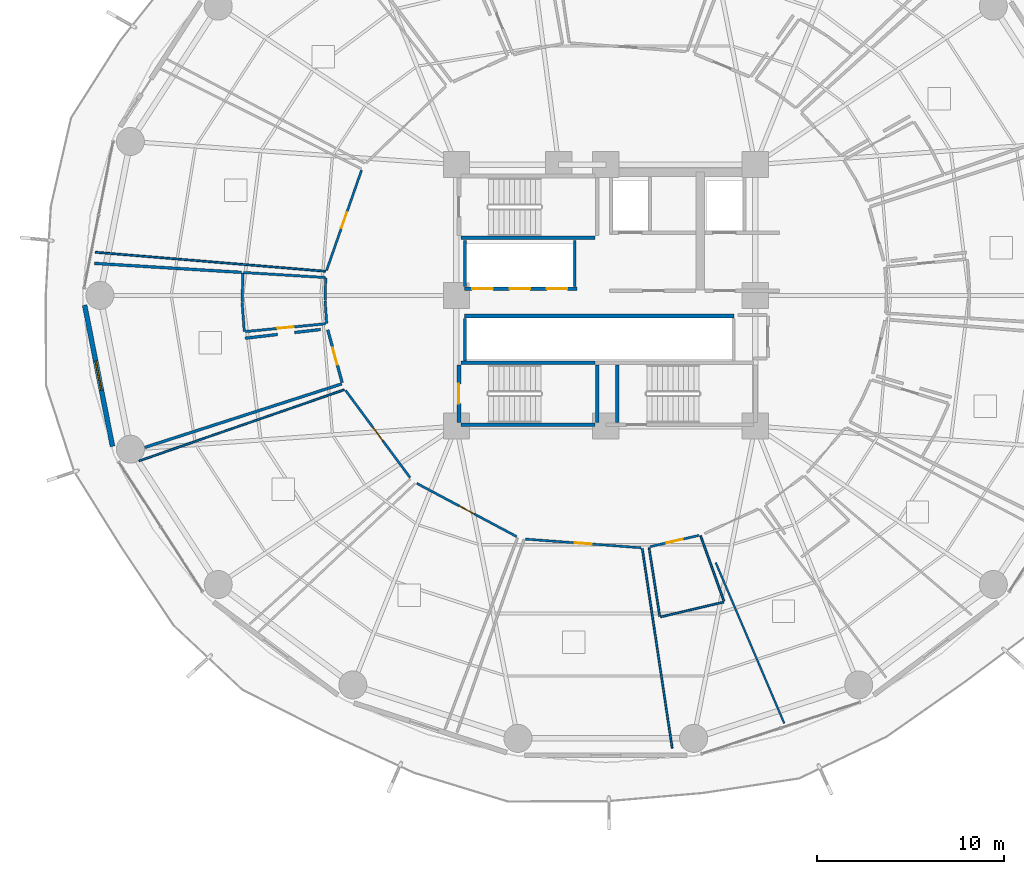
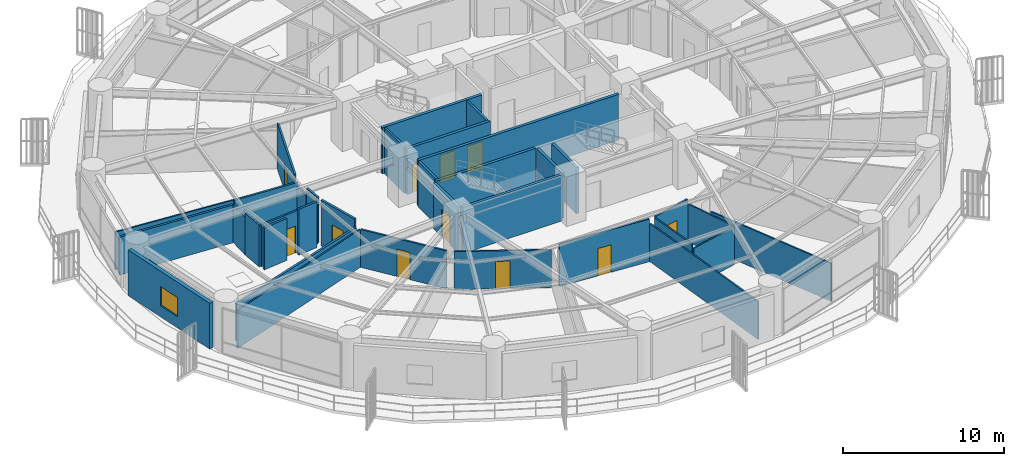
# One storey, part 23 of 32: 35 walls, 11 doors, 1 window, 12 openings.
"""IFC4 building model written with IfcOpenShell, lengths in metres."""

from ifc_helpers import new_model, si_unit, direction, frame, frame_2d, origin, place, context, subcontext, project, spatial, rectangle, extrude, material, layer, layer_set, type_object, element, fill, save


model = new_model("IFC4")

# Units and contexts
model_context = context("Model", 3, precision=1e-05, world=origin(), true_north=direction((0.0, 1.0)))
body_context = subcontext(model_context, "Body", "Model", "MODEL_VIEW")
ifc_project = project(units=[si_unit("LENGTHUNIT", "METRE"), si_unit("AREAUNIT", "SQUARE_METRE"), si_unit("VOLUMEUNIT", "CUBIC_METRE"), si_unit("PLANEANGLEUNIT", "RADIAN"), si_unit("MASSUNIT", "GRAM", prefix="KILO")], contexts=[model_context])

# Site, building, storey
site_placement = place(None, origin())
site = spatial("IfcSite", under=ifc_project, at=site_placement, CompositionType="ELEMENT")
building_placement = place(site_placement, origin())
building = spatial("IfcBuilding", under=site, at=building_placement, Name="Kelanora Arch Commons", CompositionType="ELEMENT")
storey_placement = place(building_placement, frame((0.0, 0.0, 56.25)))
storey = spatial("IfcBuildingStorey", under=building, at=storey_placement, Name="L14", CompositionType="ELEMENT", Elevation=56.25)

# Walls
ifc_material_1 = material(Name="Autoclaved aerated concrete blockwork with fire plaster", Category="masonry")
ifc_layer_1 = layer(ifc_material_1, 0.14990234375)
ifc_layer_set_1 = layer_set([ifc_layer_1], Name="Autoclaved aerated concrete blockwork with fire plaster")
wall_type_1 = type_object("IfcWallType", Name="W-COMP-150", PredefinedType="PARTITIONING", material=ifc_layer_set_1)
for number, where, z_axis, x_axis, name in (
    (1, (66.4599609375, 58.47998046875, 0.0), (0.0, 0.0, 1.0), (0.0, 1.0, 0.0), "Low-Rise Lift Bank West Wall L14"),
    (2, (72.340087890625, 58.47998046875, 0.0), (0.0, 0.0, 1.0), (0.0, 1.0, 0.0), "Low-Rise Lift Bank East Wall L14"),
):
    element("IfcWall", number, at=place(storey_placement, frame(where, z_axis=z_axis, x_axis=x_axis)), inside=storey, type_object=wall_type_1, Name=name, PredefinedType="PARTITIONING", context=body_context, shape_type="SweptSolid", body=[
        extrude(rectangle(XDim=2.4599609375, YDim=0.14990234375, at=frame_2d((1.22998046875, 0.0))), origin(), (0.0, 0.0, 1.0), 3.47998046875),
    ])
wall_1_placement = place(storey_placement, frame((66.4599609375, 54.47998046875, 0.0), z_axis=(0.0, 0.0, 1.0), x_axis=(0.0, 1.0, 0.0)))
element("IfcWall", 3, at=wall_1_placement, inside=storey, type_object=wall_type_1, Name="South Lift Bank West Wall L14", PredefinedType="PARTITIONING", context=body_context, shape_type="SweptSolid", body=[
    extrude(rectangle(XDim=2.2900390625, YDim=0.14990234375, at=frame_2d((1.14501953125, 0.0))), origin(), (0.0, 0.0, 1.0), 3.47998046875),
])

# Wall, opening, door
wall_2_placement = place(storey_placement, frame((59.11572265625, 56.155029296875, 0.0), z_axis=(0.0, 0.0, 1.0), x_axis=(0.263653235341, -0.964617526014, 0.0)))
wall_2 = element("IfcWall", 4, at=wall_2_placement, inside=storey, type_object=wall_type_1, Name="Co-Living Studio L14-07 Entry Partition", PredefinedType="PARTITIONING", context=body_context, shape_type="SweptSolid", body=[
    extrude(rectangle(XDim=2.929931640625, YDim=0.14990234375, at=frame_2d((1.46484375, 0.0))), origin(), (0.0, 0.0, 1.0), 3.47998046875),
])
opening_1_placement = place(wall_2_placement, frame((0.989990234375, 0.0, 0.0)))
opening_1 = element("IfcOpeningElement", 5, at=opening_1_placement, cuts=wall_2, Name="Opening D-CLU1", PredefinedType="OPENING", context=body_context, shape_type="SweptSolid", body=[
    extrude(rectangle(XDim=0.949951171875, YDim=2.080078125, at=frame_2d((0.47509765625, 1.0400390625))), frame((0.0, 0.0849609375, 0.0), z_axis=(0.0, -1.0, 0.0), x_axis=(1.0, 0.0, 0.0)), (0.0, 0.0, 1.0), 0.169921875),
])
ifc_material_2 = material(Name="Solid-core acoustic timber cluster entry fire door", Category="wood")
door_type_1 = type_object("IfcDoorType", Name="D-CLU-95", OperationType="NOTDEFINED", PredefinedType="DOOR", material=ifc_material_2)
door_1_placement = place(opening_1_placement, origin())
door_1 = element("IfcDoor", 6, at=door_1_placement, inside=storey, type_object=door_type_1, Name="Co-Living Studio L14-07 Door", OperationType="SINGLE_SWING_LEFT", OverallHeight=2.080078125, OverallWidth=0.949951171875, PredefinedType="DOOR", context=body_context, shape_type="SweptSolid", body=[
    extrude(rectangle(XDim=0.949951171875, YDim=2.080078125, at=frame_2d((0.47509765625, 1.0400390625))), frame((0.0, 0.02490234375, 0.0), z_axis=(0.0, -1.0, 0.0), x_axis=(1.0, 0.0, 0.0)), (0.0, 0.0, 1.0), 0.050048828125),
])
fill(opening_1, door_1)

# Walls
wall_3_placement = place(storey_placement, frame((59.865966796875, 53.2587890625, 0.0), z_axis=(0.0, 0.0, 1.0), x_axis=(-0.951774856366, -0.30679736438, 0.0)))
element("IfcWall", 7, at=wall_3_placement, inside=storey, type_object=wall_type_1, Name="Co-Living Studio L14-07 Enclosure Partition 2", PredefinedType="PARTITIONING", context=body_context, shape_type="SweptSolid", body=[
    extrude(rectangle(XDim=11.077880859375, YDim=0.14990234375, at=frame_2d((5.5390625, 0.0))), origin(), (0.0, 0.0, 1.0), 2.875),
])
wall_4_placement = place(storey_placement, frame((46.626953125, 59.711669921875, 0.0), z_axis=(0.0, 0.0, 1.0), x_axis=(0.998135541011, -0.0610363971, 0.0)))
element("IfcWall", 8, at=wall_4_placement, inside=storey, type_object=wall_type_1, Name="Co-Living Studio L14-07 Enclosure Partition 5", PredefinedType="PARTITIONING", context=body_context, shape_type="SweptSolid", body=[
    extrude(rectangle(XDim=7.8837890625, YDim=0.14990234375, at=frame_2d((3.94189453125, 0.0))), origin(), (0.0, 0.0, 1.0), 2.875),
])
wall_5_placement = place(storey_placement, frame((54.69580078125, 55.70556640625, 0.0), z_axis=(0.0, 0.0, 1.0), x_axis=(0.993432194787, 0.114422350794, 0.0)))
element("IfcWall", 9, at=wall_5_placement, inside=storey, type_object=wall_type_1, Name="Co-Living Studio L14-07 Enclosure Partition 7", PredefinedType="PARTITIONING", context=body_context, shape_type="SweptSolid", body=[
    extrude(rectangle(XDim=1.745361328125, YDim=0.14990234375, at=frame_2d((0.87255859375, 0.0))), origin(), (0.0, 0.0, 1.0), 3.175048828125),
])
wall_6_placement = place(storey_placement, frame((57.34375, 56.0107421875, 0.0), z_axis=(0.0, 0.0, 1.0), x_axis=(0.99343576075, 0.114391386311, 0.0)))
element("IfcWall", 10, at=wall_6_placement, inside=storey, type_object=wall_type_1, Name="Co-Living Studio L14-07 Enclosure Partition 7", PredefinedType="PARTITIONING", context=body_context, shape_type="SweptSolid", body=[
    extrude(rectangle(XDim=1.3935546875, YDim=0.14990234375, at=frame_2d((0.69677734375, 0.0))), origin(), (0.0, 0.0, 1.0), 3.47998046875),
])

# Wall, opening, window
ifc_material_3 = material(Name="Precast concrete C40/50 with terracotta rainscreen", Category="masonry")
ifc_layer_2 = layer(ifc_material_3, 0.260009765625)
ifc_layer_set_2 = layer_set([ifc_layer_2], Name="Precast concrete C40/50 with terracotta rainscreen")
wall_type_2 = type_object("IfcWallType", Name="W-EXT-TC", PredefinedType="SOLIDWALL", material=ifc_layer_set_2)
wall_7_placement = place(storey_placement, frame((46.103515625, 57.4765625, 0.0), z_axis=(0.0, 0.0, 1.0), x_axis=(0.193726159581, -0.98105564322, 0.0)))
wall_7 = element("IfcWall", 11, at=wall_7_placement, inside=storey, type_object=wall_type_2, Name="Terracotta Exterior Wall L14-B09", PredefinedType="SOLIDWALL", context=body_context, shape_type="SweptSolid", body=[
    extrude(rectangle(XDim=7.70263671875, YDim=0.260009765625, at=frame_2d((3.851318359375, 0.0))), origin(), (0.0, 0.0, 1.0), 3.47509765625),
])
opening_2_placement = place(wall_7_placement, frame((3.051025390625, 0.0, 0.85009765625)))
opening_2 = element("IfcOpeningElement", 12, at=opening_2_placement, cuts=wall_7, Name="Opening WN-01", PredefinedType="OPENING", context=body_context, shape_type="SweptSolid", body=[
    extrude(rectangle(XDim=1.60009765625, YDim=1.449951171875, at=frame_2d((0.800048828125, 0.72509765625))), frame((0.0, 0.14013671875, 0.0), z_axis=(0.0, -1.0, 0.0), x_axis=(1.0, 0.0, 0.0)), (0.0, 0.0, 1.0), 0.280029296875),
])
ifc_material_4 = material(Name="Terracotta-anodised aluminium frame with operable low-E glazing", Category="masonry")
window_type = type_object("IfcWindowType", Name="WIN-CL-18", PartitioningType="DOUBLE_PANEL_VERTICAL", PredefinedType="WINDOW", material=ifc_material_4)
window_placement = place(opening_2_placement, origin())
window = element("IfcWindow", 13, at=window_placement, inside=storey, type_object=window_type, Name="Co-Living Operable Window L14-B09", OverallHeight=1.449951171875, OverallWidth=1.60009765625, PartitioningType="SINGLE_PANEL", PredefinedType="WINDOW", context=body_context, shape_type="SweptSolid", body=[
    extrude(rectangle(XDim=1.60009765625, YDim=1.449951171875, at=frame_2d((0.800048828125, 0.72509765625))), frame((0.0, 0.030029296875, 0.0), z_axis=(0.0, -1.0, 0.0), x_axis=(1.0, 0.0, 0.0)), (0.0, 0.0, 1.0), 0.06005859375),
])
fill(opening_2, window)

# Wall, openings, doors
ifc_material_5 = material(Name="Concrete C40/50", Category="concrete")
ifc_layer_3 = layer(ifc_material_5, 0.199951171875)
ifc_layer_set_3 = layer_set([ifc_layer_3], Name="Concrete C40/50")
wall_type_3 = type_object("IfcWallType", Name="W-FFL-200", PredefinedType="SOLIDWALL", material=ifc_layer_set_3)
wall_8_placement = place(storey_placement, frame((66.449951171875, 58.35009765625, 0.0), z_axis=(0.0, 0.0, 1.0), x_axis=(1.0, 0.0, 0.0)))
wall_8 = element("IfcWall", 14, at=wall_8_placement, inside=storey, type_object=wall_type_3, Name="Low-Rise Passenger Lift Shaft Front L14", PredefinedType="SOLIDWALL", context=body_context, shape_type="SweptSolid", body=[
    extrude(rectangle(XDim=6.0, YDim=0.199951171875, at=frame_2d((3.0, 0.0))), origin(), (0.0, 0.0, 1.0), 3.47998046875),
])
opening_3_placement = place(wall_8_placement, frame((0.39990234375, 0.0, 0.0)))
opening_3 = element("IfcOpeningElement", 15, at=opening_3_placement, cuts=wall_8, Name="Opening LD-01", PredefinedType="OPENING", context=body_context, shape_type="SweptSolid", body=[
    extrude(rectangle(XDim=1.10009765625, YDim=2.10009765625, at=frame_2d((0.550048828125, 1.050048828125))), frame((0.0, 0.10986328125, 0.0), z_axis=(0.0, -1.0, 0.0), x_axis=(1.0, 0.0, 0.0)), (0.0, 0.0, 1.0), 0.219970703125),
])
opening_4_placement = place(wall_8_placement, frame((2.39990234375, 0.0, 0.0)))
opening_4 = element("IfcOpeningElement", 16, at=opening_4_placement, cuts=wall_8, Name="Opening LD-01", PredefinedType="OPENING", context=body_context, shape_type="SweptSolid", body=[
    extrude(rectangle(XDim=1.10009765625, YDim=2.10009765625, at=frame_2d((0.550048828125, 1.050048828125))), frame((0.0, 0.10986328125, 0.0), z_axis=(0.0, -1.0, 0.0), x_axis=(1.0, 0.0, 0.0)), (0.0, 0.0, 1.0), 0.219970703125),
])
opening_5_placement = place(wall_8_placement, frame((4.39990234375, 0.0, 0.0)))
opening_5 = element("IfcOpeningElement", 17, at=opening_5_placement, cuts=wall_8, Name="Opening LD-01", PredefinedType="OPENING", context=body_context, shape_type="SweptSolid", body=[
    extrude(rectangle(XDim=1.10009765625, YDim=2.10009765625, at=frame_2d((0.550048828125, 1.050048828125))), frame((0.0, 0.10986328125, 0.0), z_axis=(0.0, -1.0, 0.0), x_axis=(1.0, 0.0, 0.0)), (0.0, 0.0, 1.0), 0.219970703125),
])
ifc_material_6 = material(Name="Stainless steel passenger lift sliding landing door", Category="steel")
door_type_2 = type_object("IfcDoorType", Name="D-LIFT-110", OperationType="NOTDEFINED", PredefinedType="DOOR", material=ifc_material_6)
door_2_placement = place(opening_3_placement, origin())
door_2 = element("IfcDoor", 18, at=door_2_placement, inside=storey, type_object=door_type_2, Name="Passenger Lift LF-P1 Landing Door L14", OperationType="DOUBLE_DOOR_SLIDING", OverallHeight=2.10009765625, OverallWidth=1.10009765625, PredefinedType="DOOR", context=body_context, shape_type="SweptSolid", body=[
    extrude(rectangle(XDim=1.10009765625, YDim=2.10009765625, at=frame_2d((0.550048828125, 1.050048828125))), frame((0.0, 0.02490234375, 0.0), z_axis=(0.0, -1.0, 0.0), x_axis=(1.0, 0.0, 0.0)), (0.0, 0.0, 1.0), 0.050048828125),
])
fill(opening_3, door_2)
door_3_placement = place(opening_4_placement, origin())
door_3 = element("IfcDoor", 19, at=door_3_placement, inside=storey, type_object=door_type_2, Name="Passenger Lift LF-P2 Landing Door L14", OperationType="DOUBLE_DOOR_SLIDING", OverallHeight=2.10009765625, OverallWidth=1.10009765625, PredefinedType="DOOR", context=body_context, shape_type="SweptSolid", body=[
    extrude(rectangle(XDim=1.10009765625, YDim=2.10009765625, at=frame_2d((0.550048828125, 1.050048828125))), frame((0.0, 0.02490234375, 0.0), z_axis=(0.0, -1.0, 0.0), x_axis=(1.0, 0.0, 0.0)), (0.0, 0.0, 1.0), 0.050048828125),
])
fill(opening_4, door_3)
door_4_placement = place(opening_5_placement, origin())
door_4 = element("IfcDoor", 20, at=door_4_placement, inside=storey, type_object=door_type_2, Name="Passenger Lift LF-P3 Landing Door L14", OperationType="DOUBLE_DOOR_SLIDING", OverallHeight=2.10009765625, OverallWidth=1.10009765625, PredefinedType="DOOR", context=body_context, shape_type="SweptSolid", body=[
    extrude(rectangle(XDim=1.10009765625, YDim=2.10009765625, at=frame_2d((0.550048828125, 1.050048828125))), frame((0.0, 0.02490234375, 0.0), z_axis=(0.0, -1.0, 0.0), x_axis=(1.0, 0.0, 0.0)), (0.0, 0.0, 1.0), 0.050048828125),
])
fill(opening_5, door_4)

# Walls
wall_9_placement = place(storey_placement, frame((66.449951171875, 56.89990234375, 0.0), z_axis=(0.0, 0.0, 1.0), x_axis=(1.0, 0.0, 0.0)))
element("IfcWall", 21, at=wall_9_placement, inside=storey, type_object=wall_type_3, Name="Mid/High/Express Lift Shaft Front L14", PredefinedType="SOLIDWALL", context=body_context, shape_type="SweptSolid", body=[
    extrude(rectangle(XDim=14.400146484375, YDim=0.199951171875, at=frame_2d((7.2001953125, 0.0))), origin(), (0.0, 0.0, 1.0), 3.47998046875),
])
ifc_material_7 = material(Name="Lightweight fire-rated acoustic stud partition")
ifc_layer_4 = layer(ifc_material_7, 0.10009765625)
ifc_layer_set_4 = layer_set([ifc_layer_4], Name="Lightweight fire-rated acoustic stud partition")
wall_type_4 = type_object("IfcWallType", Name="W-PART-100", PredefinedType="PARTITIONING", material=ifc_layer_set_4)
wall_10_placement = place(storey_placement, frame((58.9970703125, 59.289306640625, 0.0), z_axis=(0.0, 0.0, 1.0), x_axis=(-0.996604780232, 0.08233414856, 0.0)))
element("IfcWall", 22, at=wall_10_placement, inside=storey, type_object=wall_type_4, Name="Social Sky Lounge L14-06 Enclosure Partition 2", PredefinedType="PARTITIONING", context=body_context, shape_type="SweptSolid", body=[
    extrude(rectangle(XDim=12.356201171875, YDim=0.10009765625, at=frame_2d((6.17822265625, 0.0))), origin(), (0.0, 0.0, 1.0), 2.875),
])
wall_11_placement = place(storey_placement, frame((49.007568359375, 49.136474609375, 0.0), z_axis=(0.0, 0.0, 1.0), x_axis=(0.944815756918, 0.327602175634, 0.0)))
element("IfcWall", 23, at=wall_11_placement, inside=storey, type_object=wall_type_4, Name="Communal Dining and Social Hall L14-08 Enclosure Partition 4", PredefinedType="PARTITIONING", context=body_context, shape_type="SweptSolid", body=[
    extrude(rectangle(XDim=11.631591796875, YDim=0.10009765625, at=frame_2d((5.81591796875, 0.0))), origin(), (0.0, 0.0, 1.0), 2.875),
])
wall_12_placement = place(storey_placement, frame((75.952880859375, 44.4453125, 0.0), z_axis=(0.0, 0.0, 1.0), x_axis=(0.148282966471, -0.988944974129, 0.0)))
element("IfcWall", 24, at=wall_12_placement, inside=storey, type_object=wall_type_4, Name="Quiet Seminar Study Room L14-10 Enclosure Partition 2", PredefinedType="PARTITIONING", context=body_context, shape_type="SweptSolid", body=[
    extrude(rectangle(XDim=10.799072265625, YDim=0.10009765625, at=frame_2d((5.3994140625, 0.0))), origin(), (0.0, 0.0, 1.0), 2.875),
])
wall_13_placement = place(storey_placement, frame((79.074462890625, 45.12841796875, 0.0), z_axis=(0.0, 0.0, 1.0), x_axis=(0.336806149261, -0.941574010803, 0.0)))
element("IfcWall", 25, at=wall_13_placement, inside=storey, type_object=wall_type_4, Name="Student Laundry Room L14-11 Enclosure Partition 2", PredefinedType="PARTITIONING", context=body_context, shape_type="SweptSolid", body=[
    extrude(rectangle(XDim=3.719970703125, YDim=0.10009765625, at=frame_2d((1.85986328125, 0.0))), origin(), (0.0, 0.0, 1.0), 2.875),
])
wall_14_placement = place(storey_placement, frame((80.302001953125, 41.578857421875, 0.0), z_axis=(0.0, 0.0, 1.0), x_axis=(-0.973403286496, -0.229098323518, 0.0)))
element("IfcWall", 26, at=wall_14_placement, inside=storey, type_object=wall_type_4, Name="Student Laundry Room L14-11 Enclosure Partition 3", PredefinedType="PARTITIONING", context=body_context, shape_type="SweptSolid", body=[
    extrude(rectangle(XDim=3.460205078125, YDim=0.10009765625, at=frame_2d((1.72998046875, 0.0))), origin(), (0.0, 0.0, 1.0), 2.875),
])
wall_15_placement = place(storey_placement, frame((76.888916015625, 40.81640625, 0.0), z_axis=(0.0, 0.0, 1.0), x_axis=(-0.153950475789, 0.988078565198, 0.0)))
element("IfcWall", 27, at=wall_15_placement, inside=storey, type_object=wall_type_4, Name="Student Laundry Room L14-11 Enclosure Partition 4", PredefinedType="PARTITIONING", context=body_context, shape_type="SweptSolid", body=[
    extrude(rectangle(XDim=3.720458984375, YDim=0.10009765625, at=frame_2d((1.8603515625, 0.0))), origin(), (0.0, 0.0, 1.0), 3.175048828125),
])
wall_16_placement = place(storey_placement, frame((83.55322265625, 35.0888671875, 0.0), z_axis=(0.0, 0.0, 1.0), x_axis=(-0.392154212845, 0.919899490895, 0.0)))
element("IfcWall", 28, at=wall_16_placement, inside=storey, type_object=wall_type_4, Name="Quiet Reading Carrel L14-11 Enclosure Partition 4", PredefinedType="PARTITIONING", context=body_context, shape_type="SweptSolid", body=[
    extrude(rectangle(XDim=9.35205078125, YDim=0.10009765625, at=frame_2d((4.676025390625, 0.0))), origin(), (0.0, 0.0, 1.0), 2.875),
])

# Wall, opening, door
ifc_material_8 = material(Name="Acoustic twin-stud fire-rated gypsum partition")
ifc_layer_5 = layer(ifc_material_8, 0.1201171875)
ifc_layer_set_5 = layer_set([ifc_layer_5], Name="Acoustic twin-stud fire-rated gypsum partition")
wall_type_5 = type_object("IfcWallType", Name="W-PART-120", PredefinedType="PARTITIONING", material=ifc_layer_set_5)
wall_17_placement = place(storey_placement, frame((60.92822265625, 64.702392578125, 0.0), z_axis=(0.0, 0.0, 1.0), x_axis=(-0.329626249966, -0.944111505773, 0.0)))
wall_17 = element("IfcWall", 29, at=wall_17_placement, inside=storey, type_object=wall_type_5, Name="Social Sky Lounge L14-06 Entry Partition", PredefinedType="PARTITIONING", context=body_context, shape_type="SweptSolid", body=[
    extrude(rectangle(XDim=5.67724609375, YDim=0.1201171875, at=frame_2d((2.838623046875, 0.0))), origin(), (0.0, 0.0, 1.0), 3.47998046875),
])
opening_6_placement = place(wall_17_placement, frame((2.388916015625, 0.0, 0.0)))
opening_6 = element("IfcOpeningElement", 30, at=opening_6_placement, cuts=wall_17, Name="Opening D-RM1", PredefinedType="OPENING", context=body_context, shape_type="SweptSolid", body=[
    extrude(rectangle(XDim=0.89990234375, YDim=2.080078125, at=frame_2d((0.449951171875, 1.0400390625))), frame((0.0, 0.070068359375, 0.0), z_axis=(0.0, -1.0, 0.0), x_axis=(1.0, 0.0, 0.0)), (0.0, 0.0, 1.0), 0.14013671875),
])
ifc_material_9 = material(Name="Acoustic fire-rated timber study and lounge door", Category="wood")
door_type_3 = type_object("IfcDoorType", Name="D-ROOM-90", OperationType="NOTDEFINED", PredefinedType="DOOR", material=ifc_material_9)
door_5_placement = place(opening_6_placement, origin())
door_5 = element("IfcDoor", 31, at=door_5_placement, inside=storey, type_object=door_type_3, Name="Social Sky Lounge L14-06 Door", OperationType="SINGLE_SWING_LEFT", OverallHeight=2.080078125, OverallWidth=0.89990234375, PredefinedType="DOOR", context=body_context, shape_type="SweptSolid", body=[
    extrude(rectangle(XDim=0.89990234375, YDim=2.080078125, at=frame_2d((0.449951171875, 1.0400390625))), frame((0.0, 0.02490234375, 0.0), z_axis=(0.0, -1.0, 0.0), x_axis=(1.0, 0.0, 0.0)), (0.0, 0.0, 1.0), 0.050048828125),
])
fill(opening_6, door_5)

wall_18_placement = place(storey_placement, frame((60.07080078125, 52.911865234375, 0.0), z_axis=(0.0, 0.0, 1.0), x_axis=(0.594763174801, -0.80390096772, 0.0)))
wall_18 = element("IfcWall", 32, at=wall_18_placement, inside=storey, type_object=wall_type_5, Name="Communal Dining and Social Hall L14-08 Entry Partition", PredefinedType="PARTITIONING", context=body_context, shape_type="SweptSolid", body=[
    extrude(rectangle(XDim=5.81005859375, YDim=0.1201171875, at=frame_2d((2.905029296875, 0.0))), origin(), (0.0, 0.0, 1.0), 2.875),
])
opening_7_placement = place(wall_18_placement, frame((2.455078125, 0.0, 0.0)))
opening_7 = element("IfcOpeningElement", 33, at=opening_7_placement, cuts=wall_18, Name="Opening D-RM1", PredefinedType="OPENING", context=body_context, shape_type="SweptSolid", body=[
    extrude(rectangle(XDim=0.89990234375, YDim=2.080078125, at=frame_2d((0.449951171875, 1.0400390625))), frame((0.0, 0.070068359375, 0.0), z_axis=(0.0, -1.0, 0.0), x_axis=(1.0, 0.0, 0.0)), (0.0, 0.0, 1.0), 0.14013671875),
])
door_6_placement = place(opening_7_placement, origin())
door_6 = element("IfcDoor", 34, at=door_6_placement, inside=storey, type_object=door_type_3, Name="Communal Dining and Social Hall L14-08 Door", OperationType="SINGLE_SWING_RIGHT", OverallHeight=2.080078125, OverallWidth=0.89990234375, PredefinedType="DOOR", context=body_context, shape_type="SweptSolid", body=[
    extrude(rectangle(XDim=0.89990234375, YDim=2.080078125, at=frame_2d((0.449951171875, 1.0400390625))), frame((0.0, 0.02490234375, 0.0), z_axis=(0.0, -1.0, 0.0), x_axis=(1.0, 0.0, 0.0)), (0.0, 0.0, 1.0), 0.050048828125),
])
fill(opening_7, door_6)

wall_19_placement = place(storey_placement, frame((63.882080078125, 47.936767578125, 0.0), z_axis=(0.0, 0.0, 1.0), x_axis=(0.882584601599, -0.470153614279, 0.0)))
wall_19 = element("IfcWall", 35, at=wall_19_placement, inside=storey, type_object=wall_type_5, Name="Quiet Seminar Study Room L14-09 Entry Partition", PredefinedType="PARTITIONING", context=body_context, shape_type="SweptSolid", body=[
    extrude(rectangle(XDim=6.065185546875, YDim=0.1201171875, at=frame_2d((3.03271484375, 0.0))), origin(), (0.0, 0.0, 1.0), 2.875),
])
opening_8_placement = place(wall_19_placement, frame((2.5830078125, 0.0, 0.0)))
opening_8 = element("IfcOpeningElement", 36, at=opening_8_placement, cuts=wall_19, Name="Opening D-RM1", PredefinedType="OPENING", context=body_context, shape_type="SweptSolid", body=[
    extrude(rectangle(XDim=0.89990234375, YDim=2.080078125, at=frame_2d((0.449951171875, 1.0400390625))), frame((0.0, 0.070068359375, 0.0), z_axis=(0.0, -1.0, 0.0), x_axis=(1.0, 0.0, 0.0)), (0.0, 0.0, 1.0), 0.14013671875),
])
door_7_placement = place(opening_8_placement, origin())
door_7 = element("IfcDoor", 37, at=door_7_placement, inside=storey, type_object=door_type_3, Name="Quiet Seminar Study Room L14-09 Door", OperationType="SINGLE_SWING_LEFT", OverallHeight=2.080078125, OverallWidth=0.89990234375, PredefinedType="DOOR", context=body_context, shape_type="SweptSolid", body=[
    extrude(rectangle(XDim=0.89990234375, YDim=2.080078125, at=frame_2d((0.449951171875, 1.0400390625))), frame((0.0, 0.02490234375, 0.0), z_axis=(0.0, -1.0, 0.0), x_axis=(1.0, 0.0, 0.0)), (0.0, 0.0, 1.0), 0.050048828125),
])
fill(opening_8, door_7)

wall_20_placement = place(storey_placement, frame((69.69775390625, 44.952392578125, 0.0), z_axis=(0.0, 0.0, 1.0), x_axis=(0.997215128993, -0.074578726908, 0.0)))
wall_20 = element("IfcWall", 38, at=wall_20_placement, inside=storey, type_object=wall_type_5, Name="Quiet Seminar Study Room L14-10 Entry Partition", PredefinedType="PARTITIONING", context=body_context, shape_type="SweptSolid", body=[
    extrude(rectangle(XDim=6.206787109375, YDim=0.1201171875, at=frame_2d((3.103515625, 0.0))), origin(), (0.0, 0.0, 1.0), 3.235107421875),
])
opening_9_placement = place(wall_20_placement, frame((2.653076171875, 0.0, 0.0)))
opening_9 = element("IfcOpeningElement", 39, at=opening_9_placement, cuts=wall_20, Name="Opening D-RM1", PredefinedType="OPENING", context=body_context, shape_type="SweptSolid", body=[
    extrude(rectangle(XDim=0.89990234375, YDim=2.080078125, at=frame_2d((0.449951171875, 1.0400390625))), frame((0.0, 0.070068359375, 0.0), z_axis=(0.0, -1.0, 0.0), x_axis=(1.0, 0.0, 0.0)), (0.0, 0.0, 1.0), 0.14013671875),
])
door_8_placement = place(opening_9_placement, origin())
door_8 = element("IfcDoor", 40, at=door_8_placement, inside=storey, type_object=door_type_3, Name="Quiet Seminar Study Room L14-10 Door", OperationType="SINGLE_SWING_RIGHT", OverallHeight=2.080078125, OverallWidth=0.89990234375, PredefinedType="DOOR", context=body_context, shape_type="SweptSolid", body=[
    extrude(rectangle(XDim=0.89990234375, YDim=2.080078125, at=frame_2d((0.449951171875, 1.0400390625))), frame((0.0, 0.02490234375, 0.0), z_axis=(0.0, -1.0, 0.0), x_axis=(1.0, 0.0, 0.0)), (0.0, 0.0, 1.0), 0.050048828125),
])
fill(opening_9, door_8)

wall_21_placement = place(storey_placement, frame((76.368408203125, 44.54541015625, 0.0), z_axis=(0.0, 0.0, 1.0), x_axis=(0.974445966729, 0.224622033484, 0.0)))
wall_21 = element("IfcWall", 41, at=wall_21_placement, inside=storey, type_object=wall_type_5, Name="Student Laundry Room L14-11 Entry Partition", PredefinedType="PARTITIONING", context=body_context, shape_type="SweptSolid", body=[
    extrude(rectangle(XDim=2.703125, YDim=0.1201171875, at=frame_2d((1.3515625, 0.0))), origin(), (0.0, 0.0, 1.0), 3.235107421875),
])
opening_10_placement = place(wall_21_placement, frame((0.902099609375, 0.0, 0.0)))
opening_10 = element("IfcOpeningElement", 42, at=opening_10_placement, cuts=wall_21, Name="Opening D-RM1", PredefinedType="OPENING", context=body_context, shape_type="SweptSolid", body=[
    extrude(rectangle(XDim=0.89990234375, YDim=2.080078125, at=frame_2d((0.449951171875, 1.0400390625))), frame((0.0, 0.070068359375, 0.0), z_axis=(0.0, -1.0, 0.0), x_axis=(1.0, 0.0, 0.0)), (0.0, 0.0, 1.0), 0.14013671875),
])
door_9_placement = place(opening_10_placement, origin())
door_9 = element("IfcDoor", 43, at=door_9_placement, inside=storey, type_object=door_type_3, Name="Student Laundry Room L14-11 Door", OperationType="SINGLE_SWING_LEFT", OverallHeight=2.080078125, OverallWidth=0.89990234375, PredefinedType="DOOR", context=body_context, shape_type="SweptSolid", body=[
    extrude(rectangle(XDim=0.89990234375, YDim=2.080078125, at=frame_2d((0.449951171875, 1.0400390625))), frame((0.0, 0.02490234375, 0.0), z_axis=(0.0, -1.0, 0.0), x_axis=(1.0, 0.0, 0.0)), (0.0, 0.0, 1.0), 0.050048828125),
])
fill(opening_10, door_9)

# Walls
ifc_layer_6 = layer(ifc_material_5, 0.199951171875)
ifc_layer_set_6 = layer_set([ifc_layer_6], Name="Concrete C40/50")
wall_type_6 = type_object("IfcWallType", Name="W-STAIR-200", PredefinedType="SHEAR", material=ifc_layer_set_6)
wall_22_placement = place(storey_placement, frame((66.260009765625, 61.080078125, 0.0), z_axis=(0.0, 0.0, 1.0), x_axis=(1.0, 0.0, 0.0)))
element("IfcWall", 44, at=wall_22_placement, inside=storey, type_object=wall_type_6, Name="Stair ST-T1 Shaft Wall S L14", PredefinedType="SHEAR", context=body_context, shape_type="SweptSolid", body=[
    extrude(rectangle(XDim=7.159912109375, YDim=0.199951171875, at=frame_2d((3.580078125, 0.0))), origin(), (0.0, 0.0, 1.0), 3.489990234375),
])
wall_23_placement = place(storey_placement, frame((74.6201171875, 54.27001953125, 0.0), z_axis=(0.0, 0.0, 1.0), x_axis=(0.0, -1.0, 0.0)))
element("IfcWall", 45, at=wall_23_placement, inside=storey, type_object=wall_type_6, Name="Stair ST-T2 Shaft Wall W L14", PredefinedType="SHEAR", context=body_context, shape_type="SweptSolid", body=[
    extrude(rectangle(XDim=3.070068359375, YDim=0.199951171875, at=frame_2d((1.53515625, 0.0))), origin(), (0.0, 0.0, 1.0), 3.489990234375),
])
wall_24_placement = place(storey_placement, frame((66.260009765625, 51.080078125, 0.0), z_axis=(0.0, 0.0, 1.0), x_axis=(1.0, 0.0, 0.0)))
element("IfcWall", 46, at=wall_24_placement, inside=storey, type_object=wall_type_6, Name="Stair ST-T3 Shaft Wall S L14", PredefinedType="SHEAR", context=body_context, shape_type="SweptSolid", body=[
    extrude(rectangle(XDim=7.159912109375, YDim=0.199951171875, at=frame_2d((3.580078125, 0.0))), origin(), (0.0, 0.0, 1.0), 3.489990234375),
])
wall_25_placement = place(storey_placement, frame((73.5400390625, 51.199951171875, 0.0), z_axis=(0.0, 0.0, 1.0), x_axis=(0.0, 1.0, 0.0)))
element("IfcWall", 47, at=wall_25_placement, inside=storey, type_object=wall_type_6, Name="Stair ST-T3 Shaft Wall E L14", PredefinedType="SHEAR", context=body_context, shape_type="SweptSolid", body=[
    extrude(rectangle(XDim=3.070068359375, YDim=0.199951171875, at=frame_2d((1.53515625, 0.0))), origin(), (0.0, 0.0, 1.0), 3.489990234375),
])
wall_26_placement = place(storey_placement, frame((73.419921875, 54.389892578125, 0.0), z_axis=(0.0, 0.0, 1.0), x_axis=(-1.0, 0.0, 0.0)))
element("IfcWall", 48, at=wall_26_placement, inside=storey, type_object=wall_type_6, Name="Stair ST-T3 Shaft Wall N L14", PredefinedType="SHEAR", context=body_context, shape_type="SweptSolid", body=[
    extrude(rectangle(XDim=7.159912109375, YDim=0.199951171875, at=frame_2d((3.580078125, 0.0))), origin(), (0.0, 0.0, 1.0), 3.489990234375),
])

# Wall, opening, door
wall_27_placement = place(storey_placement, frame((66.139892578125, 54.27001953125, 0.0), z_axis=(0.0, 0.0, 1.0), x_axis=(0.0, -1.0, 0.0)))
wall_27 = element("IfcWall", 49, at=wall_27_placement, inside=storey, type_object=wall_type_6, Name="Stair ST-T3 Shaft Wall W L14", PredefinedType="SHEAR", context=body_context, shape_type="SweptSolid", body=[
    extrude(rectangle(XDim=3.070068359375, YDim=0.199951171875, at=frame_2d((1.53515625, 0.0))), origin(), (0.0, 0.0, 1.0), 3.489990234375),
])
opening_11_placement = place(wall_27_placement, frame((1.010009765625, 0.0, 0.0)))
opening_11 = element("IfcOpeningElement", 50, at=opening_11_placement, cuts=wall_27, Name="Opening D-ST1", PredefinedType="OPENING", context=body_context, shape_type="SweptSolid", body=[
    extrude(rectangle(XDim=1.050048828125, YDim=2.10009765625, at=frame_2d((0.52490234375, 1.050048828125))), frame((0.0, 0.10986328125, 0.0), z_axis=(0.0, -1.0, 0.0), x_axis=(1.0, 0.0, 0.0)), (0.0, 0.0, 1.0), 0.219970703125),
])
ifc_material_10 = material(Name="Steel fire-rated stairwell escape door", Category="steel")
door_type_4 = type_object("IfcDoorType", Name="D-STAIR-110", OperationType="NOTDEFINED", PredefinedType="DOOR", material=ifc_material_10)
door_10_placement = place(opening_11_placement, origin())
door_10 = element("IfcDoor", 51, at=door_10_placement, inside=storey, type_object=door_type_4, Name="Stair ST-T3 Escape Door L14", OperationType="SINGLE_SWING_LEFT", OverallHeight=2.10009765625, OverallWidth=1.050048828125, PredefinedType="DOOR", context=body_context, shape_type="SweptSolid", body=[
    extrude(rectangle(XDim=1.050048828125, YDim=2.10009765625, at=frame_2d((0.52490234375, 1.050048828125))), frame((0.0, 0.02490234375, 0.0), z_axis=(0.0, -1.0, 0.0), x_axis=(1.0, 0.0, 0.0)), (0.0, 0.0, 1.0), 0.050048828125),
])
fill(opening_11, door_10)

ifc_material_11 = material(Name="Moisture-resistant fire-rated cement-board plumbing wall")
ifc_layer_7 = layer(ifc_material_11, 0.1298828125)
ifc_layer_set_7 = layer_set([ifc_layer_7], Name="Moisture-resistant fire-rated cement-board plumbing wall")
wall_type_7 = type_object("IfcWallType", Name="W-WET-120", PredefinedType="PLUMBINGWALL", material=ifc_layer_set_7)
wall_28_placement = place(storey_placement, frame((59.00341796875, 56.478271484375, 0.0), z_axis=(0.0, 0.0, 1.0), x_axis=(-0.995308448338, -0.096752739847, 0.0)))
wall_28 = element("IfcWall", 52, at=wall_28_placement, inside=storey, type_object=wall_type_7, Name="En-Suite Shower WC L14-07 Entry Partition", PredefinedType="PLUMBINGWALL", context=body_context, shape_type="SweptSolid", body=[
    extrude(rectangle(XDim=4.31494140625, YDim=0.1298828125, at=frame_2d((2.157470703125, 0.0))), origin(), (0.0, 0.0, 1.0), 3.175048828125),
])
opening_12_placement = place(wall_28_placement, frame((1.72705078125, 0.0, 0.0)))
opening_12 = element("IfcOpeningElement", 53, at=opening_12_placement, cuts=wall_28, Name="Opening D-BT1", PredefinedType="OPENING", context=body_context, shape_type="SweptSolid", body=[
    extrude(rectangle(XDim=0.860107421875, YDim=2.050048828125, at=frame_2d((0.43017578125, 1.02490234375))), frame((0.0, 0.074951171875, 0.0), z_axis=(0.0, -1.0, 0.0), x_axis=(1.0, 0.0, 0.0)), (0.0, 0.0, 1.0), 0.14990234375),
])
ifc_material_12 = material(Name="Moisture-sealed fire-rated accessible bathroom door")
door_type_5 = type_object("IfcDoorType", Name="D-BATH-85", OperationType="NOTDEFINED", PredefinedType="DOOR", material=ifc_material_12)
door_11_placement = place(opening_12_placement, origin())
door_11 = element("IfcDoor", 54, at=door_11_placement, inside=storey, type_object=door_type_5, Name="En-Suite Shower WC L14-07 Door", OperationType="SINGLE_SWING_RIGHT", OverallHeight=2.050048828125, OverallWidth=0.860107421875, PredefinedType="DOOR", context=body_context, shape_type="SweptSolid", body=[
    extrude(rectangle(XDim=0.860107421875, YDim=2.050048828125, at=frame_2d((0.43017578125, 1.02490234375))), frame((0.0, 0.02490234375, 0.0), z_axis=(0.0, -1.0, 0.0), x_axis=(1.0, 0.0, 0.0)), (0.0, 0.0, 1.0), 0.050048828125),
])
fill(opening_12, door_11)

# Walls
wall_29_placement = place(storey_placement, frame((59.006591796875, 58.93408203125, 0.0), z_axis=(0.0, 0.0, 1.0), x_axis=(-0.027750076623, -0.99961489247, 0.0)))
element("IfcWall", 55, at=wall_29_placement, inside=storey, type_object=wall_type_7, Name="En-Suite Shower WC L14-07 Enclosure Partition 1", PredefinedType="PLUMBINGWALL", context=body_context, shape_type="SweptSolid", body=[
    extrude(rectangle(XDim=1.196533203125, YDim=0.1298828125, at=frame_2d((0.59814453125, 0.0))), origin(), (0.0, 0.0, 1.0), 2.875),
])
wall_30_placement = place(storey_placement, frame((58.974609375, 57.697998046875, 0.0), z_axis=(0.0, 0.0, 1.0), x_axis=(0.072594705052, -0.99736152362, 0.0)))
element("IfcWall", 56, at=wall_30_placement, inside=storey, type_object=wall_type_7, Name="En-Suite Shower WC L14-07 Enclosure Partition 2", PredefinedType="PLUMBINGWALL", context=body_context, shape_type="SweptSolid", body=[
    extrude(rectangle(XDim=1.197265625, YDim=0.1298828125, at=frame_2d((0.5986328125, 0.0))), origin(), (0.0, 0.0, 1.0), 3.47998046875),
])
wall_31_placement = place(storey_placement, frame((54.6474609375, 56.074951171875, 0.0), z_axis=(0.0, 0.0, 1.0), x_axis=(-0.07367990301, 0.997281942027, 0.0)))
element("IfcWall", 57, at=wall_31_placement, inside=storey, type_object=wall_type_7, Name="En-Suite Shower WC L14-07 Enclosure Partition 4", PredefinedType="PLUMBINGWALL", context=body_context, shape_type="SweptSolid", body=[
    extrude(rectangle(XDim=1.54736328125, YDim=0.1298828125, at=frame_2d((0.773681640625, 0.0))), origin(), (0.0, 0.0, 1.0), 3.175048828125),
])
wall_32_placement = place(storey_placement, frame((54.53271484375, 57.657958984375, 0.0), z_axis=(0.0, 0.0, 1.0), x_axis=(0.02760506688, 0.999618907526, 0.0)))
element("IfcWall", 58, at=wall_32_placement, inside=storey, type_object=wall_type_7, Name="En-Suite Shower WC L14-07 Enclosure Partition 5", PredefinedType="PLUMBINGWALL", context=body_context, shape_type="SweptSolid", body=[
    extrude(rectangle(XDim=1.547607421875, YDim=0.1298828125, at=frame_2d((0.77392578125, 0.0))), origin(), (0.0, 0.0, 1.0), 2.875),
])
wall_33_placement = place(storey_placement, frame((54.595947265625, 59.223876953125, 0.0), z_axis=(0.0, 0.0, 1.0), x_axis=(0.998131655241, -0.061099908397, 0.0)))
element("IfcWall", 59, at=wall_33_placement, inside=storey, type_object=wall_type_7, Name="En-Suite Shower WC L14-07 Enclosure Partition 6", PredefinedType="PLUMBINGWALL", context=body_context, shape_type="SweptSolid", body=[
    extrude(rectangle(XDim=4.3994140625, YDim=0.1298828125, at=frame_2d((2.19970703125, 0.0))), origin(), (0.0, 0.0, 1.0), 3.175048828125),
])

save(model, "model.ifc")
